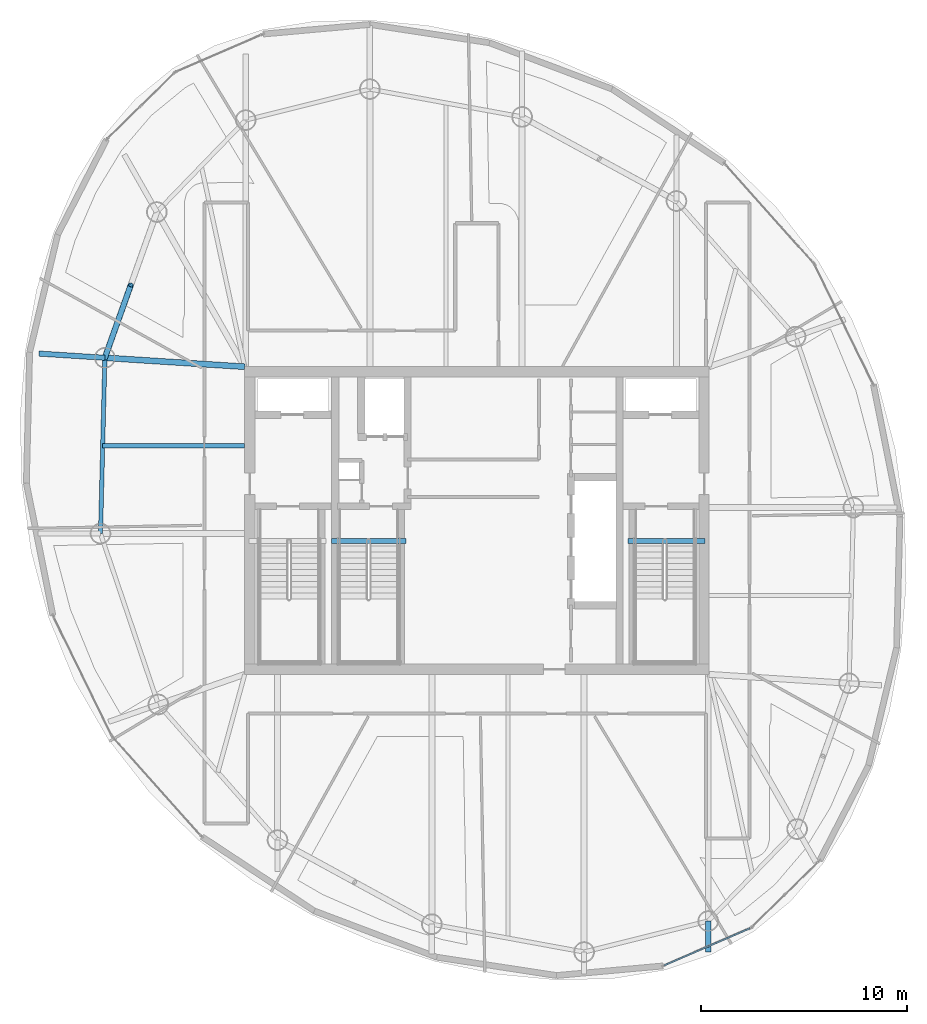
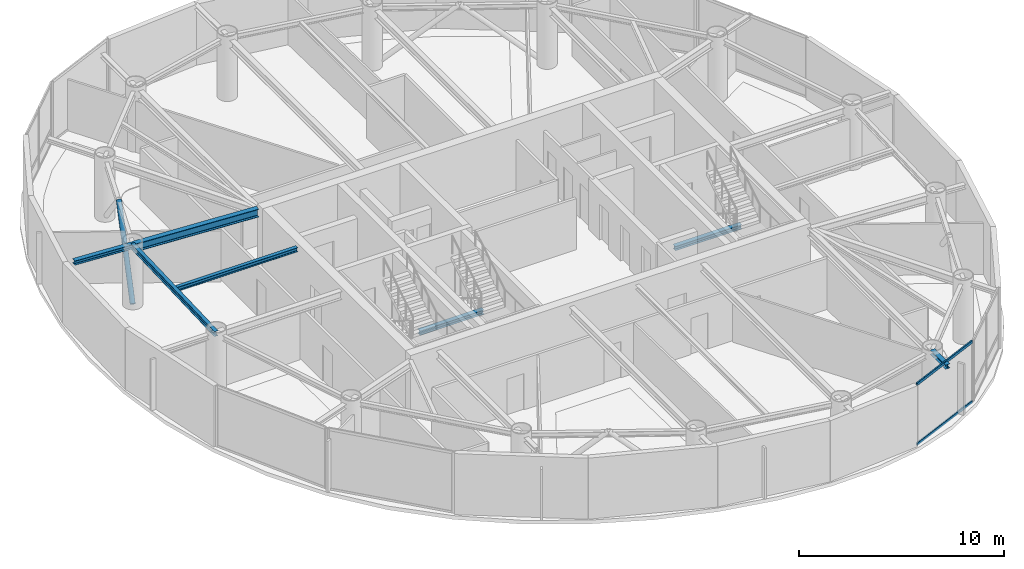
# One storey, part 7 of 21: 7 beams, 3 members, 1 element without a shape of its own.
"""IFC4 building model written with IfcOpenShell, lengths in metres."""

from ifc_helpers import new_model, si_unit, direction, frame, origin, origin_2d, place, context, subcontext, project, spatial, hollow_rectangle, hollow_circle, i_section, extrude, material, layer, layer_set, material_profile, profile_set, type_object, element, aggregate, save


model = new_model("IFC4")

# Units and contexts
model_context = context("Model", 3, precision=1e-05, world=origin(), true_north=direction((0.0, 1.0)))
body_context = subcontext(model_context, "Body", "Model", "MODEL_VIEW")
ifc_project = project(units=[si_unit("LENGTHUNIT", "METRE"), si_unit("AREAUNIT", "SQUARE_METRE"), si_unit("VOLUMEUNIT", "CUBIC_METRE"), si_unit("PLANEANGLEUNIT", "RADIAN"), si_unit("MASSUNIT", "GRAM", prefix="KILO")], contexts=[model_context])

# Site, building, storey
site_placement = place(None, origin())
site = spatial("IfcSite", under=ifc_project, at=site_placement, CompositionType="ELEMENT")
building_placement = place(site_placement, origin())
building = spatial("IfcBuilding", under=site, at=building_placement, Name="Bramvorn Convention Spire", CompositionType="ELEMENT")
storey_placement = place(building_placement, frame((0.0, 0.0, 257.449951171875)))
storey = spatial("IfcBuildingStorey", under=building, at=storey_placement, Name="L65", CompositionType="ELEMENT", Elevation=257.449951171875)

# Beams
ifc_material_1 = material(Name="Steel CSA G40.21 Grade 350 (350W)", Category="steel")
ifc_material_profile_1 = material_profile(ifc_material_1, i_section(OverallWidth=0.201904296875, OverallDepth=0.2470703125, WebThickness=0.00732421875, FlangeThickness=0.010986328125, FilletRadius=0.011962890625, at=origin_2d()))
ifc_profile_set_1 = profile_set([ifc_material_profile_1], Name="Steel CSA G40.21 Grade 350 (350W) - W250X49")
beam_type_1 = type_object("IfcBeamType", Name="BM-W250X49", PredefinedType="JOIST", material=ifc_profile_set_1)
beam_1_placement = place(storey_placement, frame((26.75, 29.626953125, 3.50146484375), z_axis=(-1.0, 0.0, 0.0), x_axis=(0.0, -1.0, 0.0)))
element("IfcBeam", 1, at=beam_1_placement, inside=storey, type_object=beam_type_1, Name="L65 composite floor joist 11", PredefinedType="JOIST", context=body_context, shape_type="SweptSolid", body=[
    extrude(i_section(OverallWidth=0.201904296875, OverallDepth=0.2470703125, WebThickness=0.00732421875, FlangeThickness=0.010986328125, FilletRadius=0.011962890625, at=origin_2d()), origin(), (0.0, 0.0, 1.0), 6.879150390625),
])
ifc_material_profile_2 = material_profile(ifc_material_1, i_section(OverallWidth=0.25390625, OverallDepth=0.2529296875, WebThickness=0.008544921875, FlangeThickness=0.01416015625, FilletRadius=0.011962890625, at=origin_2d()))
ifc_profile_set_2 = profile_set([ifc_material_profile_2], Name="Steel CSA G40.21 Grade 350 (350W) - W250X73")
beam_type_2 = type_object("IfcBeamType", Name="BM-W250X73", PredefinedType="BEAM", material=ifc_profile_set_2)
beam_2_placement = place(storey_placement, frame((49.199951171875, 6.60107421875, 3.49853515625), z_axis=(0.0, -1.0, 0.0), x_axis=(1.0, 0.0, 0.0)))
element("IfcBeam", 2, at=beam_2_placement, inside=storey, type_object=beam_type_2, Name="L65 slab-edge cantilever tip beam MC01", PredefinedType="BEAM", context=body_context, shape_type="SweptSolid", body=[
    extrude(i_section(OverallWidth=0.25390625, OverallDepth=0.2529296875, WebThickness=0.008544921875, FlangeThickness=0.01416015625, FilletRadius=0.011962890625, at=origin_2d()), origin(), (0.0, 0.0, 1.0), 1.493896484375),
])
beam_3_placement = place(storey_placement, frame((19.976318359375, 33.883544921875, 3.49853515625), z_axis=(-0.997959164695, 0.063855349044, 0.0), x_axis=(-0.063855349044, -0.997959164695, 0.0)))
element("IfcBeam", 3, at=beam_3_placement, inside=storey, type_object=beam_type_2, Name="L65 slab-edge cantilever tip beam MC11", PredefinedType="BEAM", context=body_context, shape_type="SweptSolid", body=[
    extrude(i_section(OverallWidth=0.25390625, OverallDepth=0.2529296875, WebThickness=0.008544921875, FlangeThickness=0.01416015625, FilletRadius=0.011962890625, at=origin_2d()), origin(), (0.0, 0.0, 1.0), 3.2001953125),
])
beam_4_placement = place(storey_placement, frame((45.31005859375, 25.010009765625, -0.12646484375), z_axis=(1.0, 0.0, 0.0), x_axis=(0.0, 1.0, 0.0)))
element("IfcBeam", 4, at=beam_4_placement, inside=storey, type_object=beam_type_2, Name="L65 ST2 stair arrival header beam", PredefinedType="BEAM", context=body_context, shape_type="SweptSolid", body=[
    extrude(i_section(OverallWidth=0.25390625, OverallDepth=0.2529296875, WebThickness=0.008544921875, FlangeThickness=0.01416015625, FilletRadius=0.011962890625, at=origin_2d()), origin(), (0.0, 0.0, 1.0), 3.739990234375),
])
beam_5_placement = place(storey_placement, frame((30.949951171875, 25.010009765625, -0.12646484375), z_axis=(1.0, 0.0, 0.0), x_axis=(0.0, 1.0, 0.0)))
element("IfcBeam", 5, at=beam_5_placement, inside=storey, type_object=beam_type_2, Name="L65 ST3 stair arrival header beam", PredefinedType="BEAM", context=body_context, shape_type="SweptSolid", body=[
    extrude(i_section(OverallWidth=0.25390625, OverallDepth=0.2529296875, WebThickness=0.008544921875, FlangeThickness=0.01416015625, FilletRadius=0.011962890625, at=origin_2d()), origin(), (0.0, 0.0, 1.0), 3.610107421875),
])
ifc_material_profile_3 = material_profile(ifc_material_1, i_section(OverallWidth=0.202880859375, OverallDepth=0.302978515625, WebThickness=0.007568359375, FlangeThickness=0.01318359375, FilletRadius=0.013916015625, at=origin_2d()))
ifc_profile_set_3 = profile_set([ifc_material_profile_3], Name="Steel CSA G40.21 Grade 350 (350W) - W310X60")
beam_type_3 = type_object("IfcBeamType", Name="BM-W310X60", PredefinedType="JOIST", material=ifc_profile_set_3)
beam_6_placement = place(storey_placement, frame((19.976318359375, 33.883544921875, 3.4736328125), z_axis=(-0.024770853371, -0.999693155335, 0.0), x_axis=(0.999693155335, -0.024770853371, 0.0)))
element("IfcBeam", 6, at=beam_6_placement, inside=storey, type_object=beam_type_3, Name="L65 mega-column ring beam 11", PredefinedType="JOIST", context=body_context, shape_type="SweptSolid", body=[
    extrude(i_section(OverallWidth=0.202880859375, OverallDepth=0.302978515625, WebThickness=0.007568359375, FlangeThickness=0.01318359375, FilletRadius=0.013916015625, at=origin_2d()), origin(), (0.0, 0.0, 1.0), 8.515625),
])
ifc_material_profile_4 = material_profile(ifc_material_1, i_section(OverallWidth=0.283935546875, OverallDepth=0.47607421875, WebThickness=0.014892578125, FlangeThickness=0.02392578125, FilletRadius=0.01806640625, at=origin_2d()))
ifc_profile_set_4 = profile_set([ifc_material_profile_4], Name="Steel CSA G40.21 Grade 350 (350W) - W460X158")
beam_type_4 = type_object("IfcBeamType", Name="BM-W460X158", PredefinedType="SPANDREL", material=ifc_profile_set_4)
beam_7_placement = place(storey_placement, frame((26.75, 33.449951171875, 3.386962890625), z_axis=(-0.997957536354, 0.063880792379, 0.0), x_axis=(-0.063880792379, -0.997957536354, 0.0)))
element("IfcBeam", 7, at=beam_7_placement, inside=storey, type_object=beam_type_4, Name="L65 radial floor girder MC11", PredefinedType="SPANDREL", context=body_context, shape_type="SweptSolid", body=[
    extrude(i_section(OverallWidth=0.283935546875, OverallDepth=0.47607421875, WebThickness=0.014892578125, FlangeThickness=0.02392578125, FilletRadius=0.01806640625, at=origin_2d()), origin(), (0.0, 0.0, 1.0), 6.78759765625),
])

# Curtain wall, members
ifc_material_2 = material(Name="Anodised Bronze Unitised Curtain Wall", Category="aluminium")
ifc_layer = layer(ifc_material_2, 0.179931640625)
ifc_layer_set = layer_set([ifc_layer], Name="Anodised Bronze Unitised Curtain Wall - CW-OFF-FRIT")
curtain_wall_type = type_object("IfcCurtainWallType", Name="CW-OFF-FRIT", PredefinedType="USERDEFINED", material=ifc_layer_set)
curtain_wall_placement = place(storey_placement, origin())
curtain_wall = element("IfcCurtainWall", 8, at=curtain_wall_placement, inside=storey, type_object=curtain_wall_type, Name="L65 fritted glass curtain wall 24", ObjectType="UNITISED CURTAIN WALL", PredefinedType="USERDEFINED")
ifc_material_3 = material(Name="Anodised Bronze Aluminium 6063-T6", Category="aluminium")
ifc_material_profile_5 = material_profile(ifc_material_3, hollow_rectangle(XDim=0.080078125, YDim=0.159912109375, WallThickness=0.00390625, InnerFilletRadius=0.0009765625, OuterFilletRadius=0.00390625, at=origin_2d()))
ifc_profile_set_5 = profile_set([ifc_material_profile_5], Name="Anodised Bronze Aluminium 6063-T6 - CWT80X160")
member_type_1 = type_object("IfcMemberType", Name="CW-TRN-150", PredefinedType="USERDEFINED", material=ifc_profile_set_5)
member_1_placement = place(storey_placement, frame((51.225341796875, 6.25, 0.030029296875), z_axis=(-0.917734430304, -0.397194556149, 0.0), x_axis=(0.397194556149, -0.917734430304, 0.0)))
member_1 = element("IfcMember", 9, at=member_1_placement, type_object=member_type_1, Name="CW3 transom 1.1", ObjectType="TRANSOM", PredefinedType="USERDEFINED", context=body_context, shape_type="SweptSolid", body=[
    extrude(hollow_rectangle(XDim=0.080078125, YDim=0.159912109375, WallThickness=0.00390625, InnerFilletRadius=0.0009765625, OuterFilletRadius=0.00390625, at=origin_2d()), origin(), (0.0, 0.0, 1.0), 4.53076171875),
])
member_2_placement = place(storey_placement, frame((51.225341796875, 6.25, 3.594970703125), z_axis=(-0.917734430304, -0.397194556149, 0.0), x_axis=(0.397194556149, -0.917734430304, 0.0)))
member_2 = element("IfcMember", 10, at=member_2_placement, type_object=member_type_1, Name="CW3 transom 1.2", ObjectType="TRANSOM", PredefinedType="USERDEFINED", context=body_context, shape_type="SweptSolid", body=[
    extrude(hollow_rectangle(XDim=0.080078125, YDim=0.159912109375, WallThickness=0.00390625, InnerFilletRadius=0.0009765625, OuterFilletRadius=0.00390625, at=origin_2d()), origin(), (0.0, 0.0, 1.0), 4.53076171875),
])
aggregate(curtain_wall, [member_1, member_2])

# Member
ifc_material_profile_6 = material_profile(ifc_material_1, hollow_circle(Radius=0.136474609375, WallThickness=0.0126953125, at=origin_2d()))
ifc_profile_set_6 = profile_set([ifc_material_profile_6], Name="Steel CSA G40.21 Grade 350 (350W) - CHS273X13")
member_type_2 = type_object("IfcMemberType", Name="MBR-CHS273X13", PredefinedType="BRACE", material=ifc_profile_set_6)
member_3_placement = place(storey_placement, frame((19.976318359375, 33.883544921875, 0.0), z_axis=(0.241378577718, 0.677030621771, 0.695245222495), x_axis=(-0.941926002824, 0.335820495509, 0.0)))
element("IfcMember", 11, at=member_3_placement, inside=storey, type_object=member_type_2, Name="L65 perimeter Gothic lancet brace 10B", PredefinedType="BRACE", context=body_context, shape_type="SweptSolid", body=[
    extrude(hollow_circle(Radius=0.136474609375, WallThickness=0.0126953125, at=origin_2d()), origin(), (0.0, 0.0, 1.0), 5.2138671875),
])

save(model, "model.ifc")
